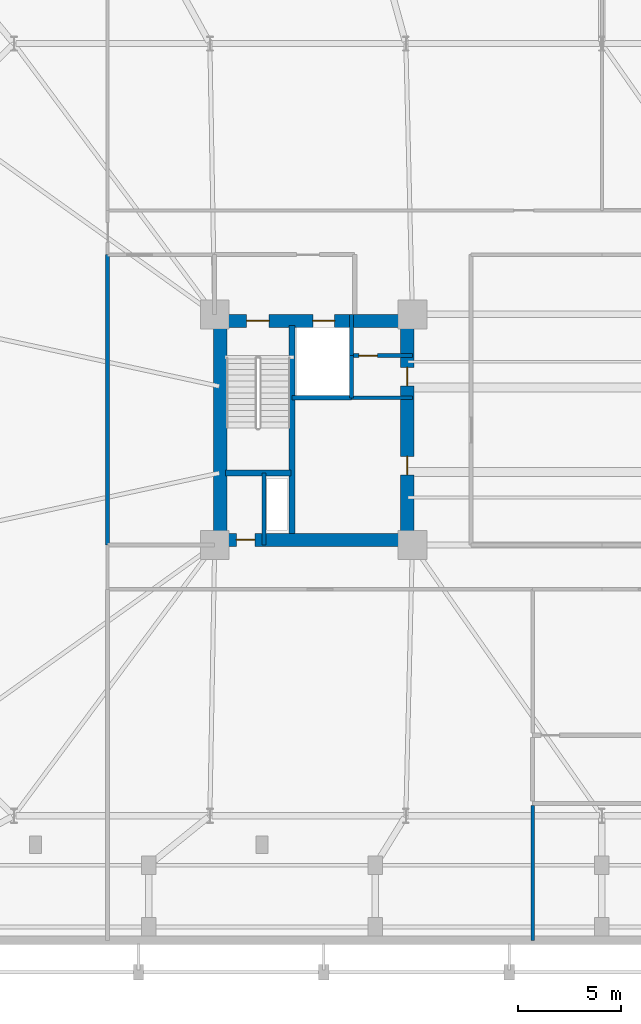
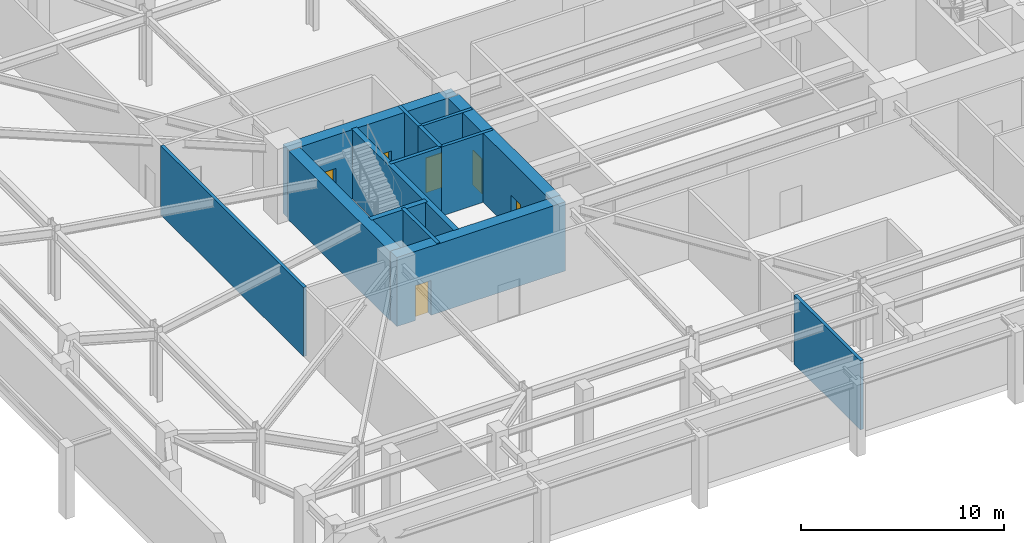
# One storey, part 8 of 14: 14 walls, 6 doors, 6 openings.
"""IFC4 building model written with IfcOpenShell, lengths in metres."""

from ifc_helpers import new_model, si_unit, direction, frame, frame_2d, origin, place, context, subcontext, project, spatial, rectangle, extrude, material, layer, layer_set, type_object, element, fill, save


model = new_model("IFC4")

# Units and contexts
model_context = context("Model", 3, precision=1e-05, world=origin(), true_north=direction((0.0, 1.0)))
body_context = subcontext(model_context, "Body", "Model", "MODEL_VIEW")
ifc_project = project(units=[si_unit("LENGTHUNIT", "METRE"), si_unit("AREAUNIT", "SQUARE_METRE"), si_unit("VOLUMEUNIT", "CUBIC_METRE"), si_unit("PLANEANGLEUNIT", "RADIAN"), si_unit("MASSUNIT", "GRAM", prefix="KILO")], contexts=[model_context])

# Site, building, storey
site_placement = place(None, origin())
site = spatial("IfcSite", under=ifc_project, at=site_placement, CompositionType="ELEMENT")
building_placement = place(site_placement, origin())
building = spatial("IfcBuilding", under=site, at=building_placement, Name="Qobustan Lattice House", CompositionType="ELEMENT")
storey_placement = place(building_placement, frame((0.0, 0.0, -4.5)))
storey = spatial("IfcBuildingStorey", under=building, at=storey_placement, Name="B01", CompositionType="ELEMENT", Elevation=-4.5)

# Wall, openings, doors
ifc_material_1 = material(Name="Concrete C60/75", Category="concrete")
ifc_layer_1 = layer(ifc_material_1, 0.639892578125)
ifc_layer_set_1 = layer_set([ifc_layer_1], Name="Concrete C60/75")
wall_type_1 = type_object("IfcWallType", Name="WAL-CORE-640", PredefinedType="SHEAR", material=ifc_layer_set_1)
wall_1_placement = place(storey_placement, frame((-18.800048828125, 5.280029296875, 0.0), z_axis=(0.0, 0.0, 1.0), x_axis=(1.0, 0.0, 0.0)))
wall_1 = element("IfcWall", 1, at=wall_1_placement, inside=storey, type_object=wall_type_1, Name="B01 split-core shear wall CW-N", PredefinedType="SHEAR", context=body_context, shape_type="SweptSolid", body=[
    extrude(rectangle(XDim=9.60009765625, YDim=0.639892578125, at=frame_2d((4.800048828125, 0.0))), origin(), (0.0, 0.0, 1.0), 4.159912109375),
])
opening_1_placement = place(wall_1_placement, frame((1.550048828125, 0.0, 0.0)))
opening_1 = element("IfcOpeningElement", 2, at=opening_1_placement, cuts=wall_1, Name="Opening SD-01", PredefinedType="OPENING", context=body_context, shape_type="SweptSolid", body=[
    extrude(rectangle(XDim=1.10009765625, YDim=2.14990234375, at=frame_2d((0.550048828125, 1.074951171875))), frame((0.0, 0.329833984375, 0.0), z_axis=(0.0, -1.0, 0.0), x_axis=(1.0, 0.0, 0.0)), (0.0, 0.0, 1.0), 0.659912109375),
])
opening_2_placement = place(wall_1_placement, frame((4.77490234375, 0.0, 0.0)))
opening_2 = element("IfcOpeningElement", 3, at=opening_2_placement, cuts=wall_1, Name="Opening LD-01", PredefinedType="OPENING", context=body_context, shape_type="SweptSolid", body=[
    extrude(rectangle(XDim=1.050048828125, YDim=2.10009765625, at=frame_2d((0.52490234375, 1.050048828125))), frame((0.0, 0.329833984375, 0.0), z_axis=(0.0, -1.0, 0.0), x_axis=(1.0, 0.0, 0.0)), (0.0, 0.0, 1.0), 0.659912109375),
])
ifc_material_2 = material(Name="Persian walnut timber and steel frame door", Category="steel")
door_type_1 = type_object("IfcDoorType", Name="DOR-LIFT-LD-1050x2100", OperationType="NOTDEFINED", PredefinedType="DOOR", material=ifc_material_2)
door_1_placement = place(opening_2_placement, origin())
door_1 = element("IfcDoor", 4, at=door_1_placement, inside=storey, type_object=door_type_1, Name="B01 firefighting lift FF-W landing door", OperationType="DOUBLE_DOOR_SLIDING", OverallHeight=2.10009765625, OverallWidth=1.050048828125, PredefinedType="DOOR", context=body_context, shape_type="SweptSolid", body=[
    extrude(rectangle(XDim=1.050048828125, YDim=2.10009765625, at=frame_2d((0.52490234375, 1.050048828125))), frame((0.0, 0.02490234375, 0.0), z_axis=(0.0, -1.0, 0.0), x_axis=(1.0, 0.0, 0.0)), (0.0, 0.0, 1.0), 0.050048828125),
])
fill(opening_2, door_1)
ifc_material_3 = material(Name="Persian walnut timber and steel frame door", Category="steel")
door_type_2 = type_object("IfcDoorType", Name="DOR-STAIR-FD-1100x2150", OperationType="NOTDEFINED", PredefinedType="DOOR", material=ifc_material_3)
door_2_placement = place(opening_1_placement, origin())
door_2 = element("IfcDoor", 5, at=door_2_placement, inside=storey, type_object=door_type_2, Name="B01 exit stair ST-W1 fire door", OperationType="SINGLE_SWING_RIGHT", OverallHeight=2.14990234375, OverallWidth=1.10009765625, PredefinedType="DOOR", context=body_context, shape_type="SweptSolid", body=[
    extrude(rectangle(XDim=1.10009765625, YDim=2.14990234375, at=frame_2d((0.550048828125, 1.074951171875))), frame((0.0, 0.02490234375, 0.0), z_axis=(0.0, -1.0, 0.0), x_axis=(1.0, 0.0, 0.0)), (0.0, 0.0, 1.0), 0.050048828125),
])
fill(opening_1, door_2)

# Wall, opening, door
wall_2_placement = place(storey_placement, frame((-18.800048828125, -5.35009765625, 0.0), z_axis=(0.0, 0.0, 1.0), x_axis=(1.0, 0.0, 0.0)))
wall_2 = element("IfcWall", 6, at=wall_2_placement, inside=storey, type_object=wall_type_1, Name="B01 split-core shear wall CW-S", PredefinedType="SHEAR", context=body_context, shape_type="SweptSolid", body=[
    extrude(rectangle(XDim=9.60009765625, YDim=0.639892578125, at=frame_2d((4.800048828125, 0.0))), origin(), (0.0, 0.0, 1.0), 4.159912109375),
])
opening_3_placement = place(wall_2_placement, frame((1.050048828125, 0.0, 0.0)))
opening_3 = element("IfcOpeningElement", 7, at=opening_3_placement, cuts=wall_2, Name="Opening RD-01", PredefinedType="OPENING", context=body_context, shape_type="SweptSolid", body=[
    extrude(rectangle(XDim=0.89990234375, YDim=2.10009765625, at=frame_2d((0.449951171875, 1.050048828125))), frame((0.0, 0.329833984375, 0.0), z_axis=(0.0, -1.0, 0.0), x_axis=(1.0, 0.0, 0.0)), (0.0, 0.0, 1.0), 0.659912109375),
])
ifc_material_4 = material(Name="Persian walnut timber and steel frame door", Category="steel")
door_type_3 = type_object("IfcDoorType", Name="DOR-RISER-FD-900x2100", OperationType="NOTDEFINED", PredefinedType="DOOR", material=ifc_material_4)
door_3_placement = place(opening_3_placement, origin())
door_3 = element("IfcDoor", 8, at=door_3_placement, inside=storey, type_object=door_type_3, Name="B01 core service riser access door W", OperationType="SINGLE_SWING_RIGHT", OverallHeight=2.10009765625, OverallWidth=0.89990234375, PredefinedType="DOOR", context=body_context, shape_type="SweptSolid", body=[
    extrude(rectangle(XDim=0.89990234375, YDim=2.10009765625, at=frame_2d((0.449951171875, 1.050048828125))), frame((0.0, 0.02490234375, 0.0), z_axis=(0.0, -1.0, 0.0), x_axis=(1.0, 0.0, 0.0)), (0.0, 0.0, 1.0), 0.050048828125),
])
fill(opening_3, door_3)

# Wall
wall_3_placement = place(storey_placement, frame((-18.530029296875, -5.050048828125, 0.0), z_axis=(0.0, 0.0, 1.0), x_axis=(0.0, 1.0, 0.0)))
element("IfcWall", 9, at=wall_3_placement, inside=storey, type_object=wall_type_1, Name="B01 split-core shear wall CW-W", PredefinedType="SHEAR", context=body_context, shape_type="SweptSolid", body=[
    extrude(rectangle(XDim=10.10009765625, YDim=0.639892578125, at=frame_2d((5.050048828125, 0.0))), origin(), (0.0, 0.0, 1.0), 4.159912109375),
])

# Wall, openings, doors
wall_4_placement = place(storey_placement, frame((-9.449951171875, -5.050048828125, 0.0), z_axis=(0.0, 0.0, 1.0), x_axis=(0.0, 1.0, 0.0)))
wall_4 = element("IfcWall", 10, at=wall_4_placement, inside=storey, type_object=wall_type_1, Name="B01 split-core shear wall CW-E", PredefinedType="SHEAR", context=body_context, shape_type="SweptSolid", body=[
    extrude(rectangle(XDim=10.10009765625, YDim=0.639892578125, at=frame_2d((5.050048828125, 0.0))), origin(), (0.0, 0.0, 1.0), 4.159912109375),
])
opening_4_placement = place(wall_4_placement, frame((7.175048828125, 0.0, 0.0)))
opening_4 = element("IfcOpeningElement", 11, at=opening_4_placement, cuts=wall_4, Name="Opening RD-01", PredefinedType="OPENING", context=body_context, shape_type="SweptSolid", body=[
    extrude(rectangle(XDim=0.89990234375, YDim=2.10009765625, at=frame_2d((0.449951171875, 1.050048828125))), frame((0.0, 0.329833984375, 0.0), z_axis=(0.0, -1.0, 0.0), x_axis=(1.0, 0.0, 0.0)), (0.0, 0.0, 1.0), 0.659912109375),
])
opening_5_placement = place(wall_4_placement, frame((2.85009765625, 0.0, 0.0)))
opening_5 = element("IfcOpeningElement", 12, at=opening_5_placement, cuts=wall_4, Name="Opening RD-01", PredefinedType="OPENING", context=body_context, shape_type="SweptSolid", body=[
    extrude(rectangle(XDim=0.89990234375, YDim=2.10009765625, at=frame_2d((0.449951171875, 1.050048828125))), frame((0.0, 0.329833984375, 0.0), z_axis=(0.0, -1.0, 0.0), x_axis=(1.0, 0.0, 0.0)), (0.0, 0.0, 1.0), 0.659912109375),
])
door_4_placement = place(opening_4_placement, origin())
door_4 = element("IfcDoor", 13, at=door_4_placement, inside=storey, type_object=door_type_3, Name="B01 Core utility lobby fire door", OperationType="SINGLE_SWING_LEFT", OverallHeight=2.10009765625, OverallWidth=0.89990234375, PredefinedType="DOOR", context=body_context, shape_type="SweptSolid", body=[
    extrude(rectangle(XDim=0.89990234375, YDim=2.10009765625, at=frame_2d((0.449951171875, 1.050048828125))), frame((0.0, 0.02490234375, 0.0), z_axis=(0.0, -1.0, 0.0), x_axis=(1.0, 0.0, 0.0)), (0.0, 0.0, 1.0), 0.050048828125),
])
fill(opening_4, door_4)
door_5_placement = place(opening_5_placement, origin())
door_5 = element("IfcDoor", 14, at=door_5_placement, inside=storey, type_object=door_type_3, Name="B01 Substructure meter plant room fire door", OperationType="SINGLE_SWING_RIGHT", OverallHeight=2.10009765625, OverallWidth=0.89990234375, PredefinedType="DOOR", context=body_context, shape_type="SweptSolid", body=[
    extrude(rectangle(XDim=0.89990234375, YDim=2.10009765625, at=frame_2d((0.449951171875, 1.050048828125))), frame((0.0, 0.02490234375, 0.0), z_axis=(0.0, -1.0, 0.0), x_axis=(1.0, 0.0, 0.0)), (0.0, 0.0, 1.0), 0.050048828125),
])
fill(opening_5, door_5)

# Walls
ifc_material_5 = material(Name="Concrete C50/60", Category="concrete")
ifc_layer_2 = layer(ifc_material_5, 0.280029296875)
ifc_layer_set_2 = layer_set([ifc_layer_2], Name="Concrete C50/60")
wall_type_2 = type_object("IfcWallType", Name="WAL-CORE-SPINE-280", PredefinedType="SHEAR", material=ifc_layer_set_2)
wall_5_placement = place(storey_placement, frame((-15.050048828125, -5.050048828125, 0.0), z_axis=(0.0, 0.0, 1.0), x_axis=(0.0, 1.0, 0.0)))
element("IfcWall", 15, at=wall_5_placement, inside=storey, type_object=wall_type_2, Name="B01 split-core shear wall CW-M", PredefinedType="SHEAR", context=body_context, shape_type="SweptSolid", body=[
    extrude(rectangle(XDim=10.10009765625, YDim=0.300048828125, at=frame_2d((5.050048828125, 0.0))), origin(), (0.0, 0.0, 1.0), 4.159912109375),
])
wall_6_placement = place(storey_placement, frame((-18.280029296875, -2.110107421875, 0.0), z_axis=(0.0, 0.0, 1.0), x_axis=(1.0, 0.0, 0.0)))
element("IfcWall", 16, at=wall_6_placement, inside=storey, type_object=wall_type_2, Name="B01 split-core shear wall CW-ST", PredefinedType="SHEAR", context=body_context, shape_type="SweptSolid", body=[
    extrude(rectangle(XDim=3.179931640625, YDim=0.300048828125, at=frame_2d((1.58984375, 0.0))), origin(), (0.0, 0.0, 1.0), 4.159912109375),
])

# Wall, opening, door
ifc_material_6 = material(Name="Gypsum fireboard acoustic partition", Category="gypsum")
ifc_layer_3 = layer(ifc_material_6, 0.179931640625)
ifc_layer_set_3 = layer_set([ifc_layer_3], Name="Gypsum fireboard acoustic partition")
wall_type_3 = type_object("IfcWallType", Name="WAL-FIRE-180", PredefinedType="PARTITIONING", material=ifc_layer_set_3)
wall_7_placement = place(storey_placement, frame((-9.199951171875, 3.60009765625, 0.0), z_axis=(0.0, 0.0, 1.0), x_axis=(-1.0, 0.0, 0.0)))
wall_7 = element("IfcWall", 17, at=wall_7_placement, inside=storey, type_object=wall_type_3, Name="B01 interior partition 7", PredefinedType="PARTITIONING", context=body_context, shape_type="SweptSolid", body=[
    extrude(rectangle(XDim=2.949951171875, YDim=0.179931640625, at=frame_2d((1.47509765625, 0.0))), origin(), (0.0, 0.0, 1.0), 4.159912109375),
])
opening_6_placement = place(wall_7_placement, frame((1.699951171875, 0.0, 0.0)))
opening_6 = element("IfcOpeningElement", 18, at=opening_6_placement, cuts=wall_7, Name="Opening RD-01", PredefinedType="OPENING", context=body_context, shape_type="SweptSolid", body=[
    extrude(rectangle(XDim=0.89990234375, YDim=2.10009765625, at=frame_2d((0.449951171875, 1.050048828125))), frame((0.0, 0.099853515625, 0.0), z_axis=(0.0, -1.0, 0.0), x_axis=(1.0, 0.0, 0.0)), (0.0, 0.0, 1.0), 0.199951171875),
])
door_6_placement = place(opening_6_placement, origin())
door_6 = element("IfcDoor", 19, at=door_6_placement, inside=storey, type_object=door_type_3, Name="B01 Core utility lobby to Cleaner store door", OperationType="SINGLE_SWING_RIGHT", OverallHeight=2.10009765625, OverallWidth=0.89990234375, PredefinedType="DOOR", context=body_context, shape_type="SweptSolid", body=[
    extrude(rectangle(XDim=0.89990234375, YDim=2.10009765625, at=frame_2d((0.449951171875, 1.050048828125))), frame((0.0, 0.02490234375, 0.0), z_axis=(0.0, -1.0, 0.0), x_axis=(1.0, 0.0, 0.0)), (0.0, 0.0, 1.0), 0.050048828125),
])
fill(opening_6, door_6)

# Walls
wall_8_placement = place(storey_placement, frame((-12.14990234375, 1.550048828125, 0.0), z_axis=(0.0, 0.0, 1.0), x_axis=(1.0, 0.0, 0.0)))
element("IfcWall", 20, at=wall_8_placement, inside=storey, type_object=wall_type_3, Name="B01 interior partition 8", PredefinedType="PARTITIONING", context=body_context, shape_type="SweptSolid", body=[
    extrude(rectangle(XDim=2.949951171875, YDim=0.179931640625, at=frame_2d((1.47509765625, 0.0))), origin(), (0.0, 0.0, 1.0), 4.159912109375),
])
wall_9_placement = place(storey_placement, frame((-24.0, 8.5, 0.0), z_axis=(0.0, 0.0, 1.0), x_axis=(0.0, -1.0, 0.0)))
element("IfcWall", 21, at=wall_9_placement, inside=storey, type_object=wall_type_3, Name="B01 interior partition 43", PredefinedType="PARTITIONING", context=body_context, shape_type="SweptSolid", body=[
    extrude(rectangle(XDim=14.10009765625, YDim=0.179931640625, at=frame_2d((7.050048828125, 0.0))), origin(), (0.0, 0.0, 1.0), 4.159912109375),
])
wall_10_placement = place(storey_placement, frame((-3.360107421875, -18.260009765625, 0.0), z_axis=(0.0, 0.0, 1.0), x_axis=(0.0, -1.0, 0.0)))
element("IfcWall", 22, at=wall_10_placement, inside=storey, type_object=wall_type_3, Name="B01 interior partition 47", PredefinedType="PARTITIONING", context=body_context, shape_type="SweptSolid", body=[
    extrude(rectangle(XDim=6.5400390625, YDim=0.179931640625, at=frame_2d((3.27001953125, 0.0))), origin(), (0.0, 0.0, 1.0), 4.159912109375),
])
ifc_material_7 = material(Name="Concrete C40/50", Category="concrete")
ifc_layer_4 = layer(ifc_material_7, 0.199951171875)
ifc_layer_set_4 = layer_set([ifc_layer_4], Name="Concrete C40/50")
wall_type_4 = type_object("IfcWallType", Name="WAL-SHAFT-200", PredefinedType="PARTITIONING", material=ifc_layer_set_4)
wall_11_placement = place(storey_placement, frame((-16.39990234375, -5.60009765625, 0.0), z_axis=(0.0, 0.0, 1.0), x_axis=(0.0, 1.0, 0.0)))
element("IfcWall", 23, at=wall_11_placement, inside=storey, type_object=wall_type_4, Name="B01 interior partition 1", PredefinedType="PARTITIONING", context=body_context, shape_type="SweptSolid", body=[
    extrude(rectangle(XDim=3.489990234375, YDim=0.199951171875, at=frame_2d((1.7451171875, 0.0))), origin(), (0.0, 0.0, 1.0), 4.159912109375),
])
wall_12_placement = place(storey_placement, frame((-12.14990234375, 1.550048828125, 0.0), z_axis=(0.0, 0.0, 1.0), x_axis=(0.0, 1.0, 0.0)))
element("IfcWall", 24, at=wall_12_placement, inside=storey, type_object=wall_type_4, Name="B01 interior partition 2", PredefinedType="PARTITIONING", context=body_context, shape_type="SweptSolid", body=[
    extrude(rectangle(XDim=2.050048828125, YDim=0.199951171875, at=frame_2d((1.02490234375, 0.0))), origin(), (0.0, 0.0, 1.0), 4.159912109375),
])
wall_13_placement = place(storey_placement, frame((-12.14990234375, 3.60009765625, 0.0), z_axis=(0.0, 0.0, 1.0), x_axis=(0.0, 1.0, 0.0)))
element("IfcWall", 25, at=wall_13_placement, inside=storey, type_object=wall_type_4, Name="B01 interior partition 3", PredefinedType="PARTITIONING", context=body_context, shape_type="SweptSolid", body=[
    extrude(rectangle(XDim=2.0, YDim=0.199951171875, at=frame_2d((1.0, 0.0))), origin(), (0.0, 0.0, 1.0), 4.159912109375),
])
wall_14_placement = place(storey_placement, frame((-15.050048828125, 1.550048828125, 0.0), z_axis=(0.0, 0.0, 1.0), x_axis=(1.0, 0.0, 0.0)))
element("IfcWall", 26, at=wall_14_placement, inside=storey, type_object=wall_type_4, Name="B01 interior partition 60", PredefinedType="PARTITIONING", context=body_context, shape_type="SweptSolid", body=[
    extrude(rectangle(XDim=2.900146484375, YDim=0.199951171875, at=frame_2d((1.4501953125, 0.0))), origin(), (0.0, 0.0, 1.0), 4.159912109375),
])

save(model, "model.ifc")
